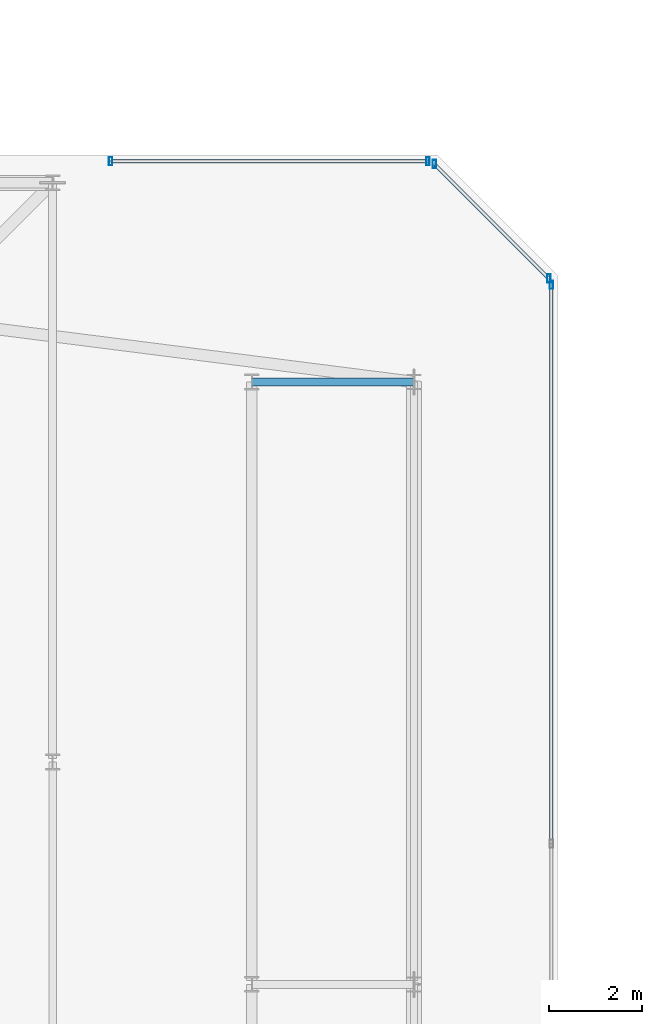
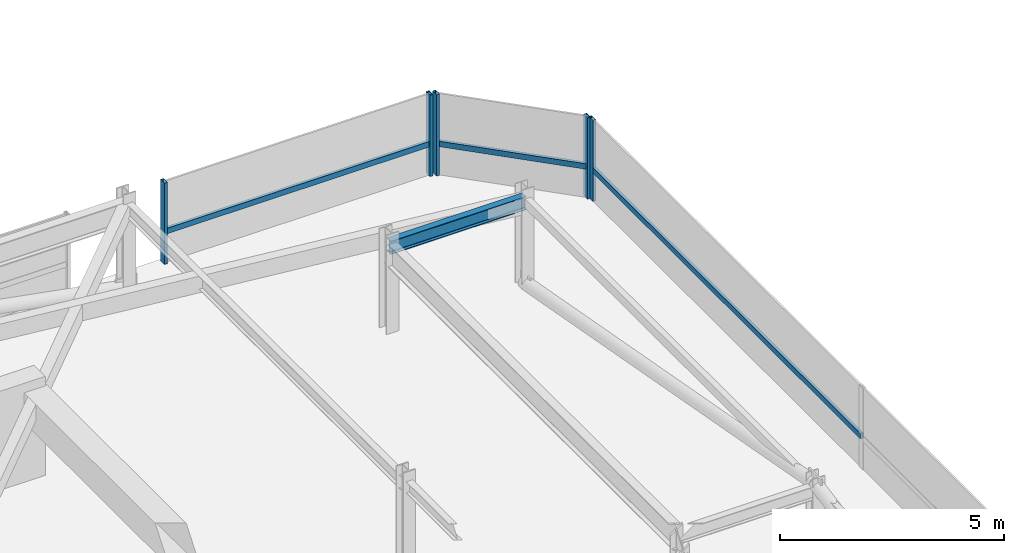
# One storey, part 25 of 42: 8 members, 1 beam, 3 elements without a shape of their own.
"""IFC4 building model written with IfcOpenShell, lengths in metres."""

from ifc_helpers import new_model, si_unit, direction, frame, origin, origin_2d, place, context, subcontext, project, spatial, hollow_rectangle, i_section, extrude, material, material_profile, profile_set, type_object, element, aggregate, save


model = new_model("IFC4")

# Units and contexts
model_context = context("Model", 3, precision=1e-05, world=origin(), true_north=direction((0.0, 1.0)))
body_context = subcontext(model_context, "Body", "Model", "MODEL_VIEW")
ifc_project = project(units=[si_unit("LENGTHUNIT", "METRE"), si_unit("AREAUNIT", "SQUARE_METRE"), si_unit("VOLUMEUNIT", "CUBIC_METRE"), si_unit("PLANEANGLEUNIT", "RADIAN"), si_unit("MASSUNIT", "GRAM", prefix="KILO")], contexts=[model_context])

# Site, building, storey
site_placement = place(None, origin())
site = spatial("IfcSite", under=ifc_project, at=site_placement, CompositionType="ELEMENT")
building_placement = place(site_placement, origin())
building = spatial("IfcBuilding", under=site, at=building_placement, Name="Thornwick Lancets Civic Towers", CompositionType="ELEMENT")
storey_placement = place(building_placement, frame((0.0, 0.0, 284.10009765625)))
storey = spatial("IfcBuildingStorey", under=building, at=storey_placement, Name="C02", CompositionType="ELEMENT", Elevation=284.10009765625)

# Beam
ifc_material_1 = material(Name="Steel S355JR", Category="steel")
ifc_material_profile_1 = material_profile(ifc_material_1, i_section(OverallWidth=0.173095703125, OverallDepth=0.36328125, WebThickness=0.009033203125, FlangeThickness=0.015625, FilletRadius=0.01025390625, at=origin_2d()), Name="UKB 356x171x67")
ifc_profile_set_1 = profile_set([ifc_material_profile_1], Name="Steel S355JR")
beam_type = type_object("IfcBeamType", Name="BM_JOIST_356_67", PredefinedType="JOIST", material=ifc_profile_set_1)
beam_placement = place(storey_placement, frame((42.800048828125, 40.0, 2.25830078125), z_axis=(1.0, 0.0, 0.0), x_axis=(0.0, 1.0, 0.0)))
element("IfcBeam", 1, at=beam_placement, inside=storey, type_object=beam_type, Name="BM-RAD-C02-A06", PredefinedType="JOIST", context=body_context, shape_type="SweptSolid", body=[
    extrude(i_section(OverallWidth=0.173095703125, OverallDepth=0.36328125, WebThickness=0.009033203125, FlangeThickness=0.015625, FilletRadius=0.01025390625, at=origin_2d()), origin(), (0.0, 0.0, 1.0), 3.5),
])

# Curtain wall, member
ifc_material_2 = material(Name="Crown ring acoustic-louvre and glazing screen wall", Category="glass")
curtain_wall_type = type_object("IfcCurtainWallType", Name="CW_SYS_07", PredefinedType="NOTDEFINED", material=ifc_material_2)
curtain_wall_1_placement = place(storey_placement, origin())
curtain_wall_1 = element("IfcCurtainWall", 2, at=curtain_wall_1_placement, inside=storey, type_object=curtain_wall_type, Name="C02 Curtain Wall CW-C02-A-E2", PredefinedType="NOTDEFINED")
ifc_material_3 = material(Name="Thermally broken bronze aluminium S355", Category="steel")
ifc_material_profile_2 = material_profile(ifc_material_3, hollow_rectangle(XDim=0.074951171875, YDim=0.179931640625, WallThickness=0.006103515625, at=origin_2d()), Name="RHS 180x75x6")
ifc_profile_set_2 = profile_set([ifc_material_profile_2], Name="Thermally broken bronze aluminium S355")
member_type_1 = type_object("IfcMemberType", Name="CW_MUL_180", PredefinedType="MULLION", material=ifc_profile_set_2)
member_1_placement = place(storey_placement, frame((49.2646484375, 42.101318359375, 0.0), z_axis=(0.0, 0.0, 1.0), x_axis=(1.0, 0.0, 0.0)))
member_1 = element("IfcMember", 3, at=member_1_placement, type_object=member_type_1, Name="CW-C02-A-E2 Mullion 3", PredefinedType="MULLION", context=body_context, shape_type="SweptSolid", body=[
    extrude(hollow_rectangle(XDim=0.074951171875, YDim=0.179931640625, WallThickness=0.006103515625, at=origin_2d()), origin(), (0.0, 0.0, 1.0), 2.219970703125),
])

# Curtain wall, members
curtain_wall_2_placement = place(storey_placement, origin())
curtain_wall_2 = element("IfcCurtainWall", 4, at=curtain_wall_2_placement, inside=storey, type_object=curtain_wall_type, Name="C02 Curtain Wall CW-C02-A-E3", PredefinedType="NOTDEFINED")
member_2_placement = place(storey_placement, frame((49.2080078125, 42.238037109375, 0.0), z_axis=(0.0, 0.0, 1.0), x_axis=(1.0, 0.0, 0.0)))
member_2 = element("IfcMember", 5, at=member_2_placement, type_object=member_type_1, Name="CW-C02-A-E3 Mullion 0", PredefinedType="MULLION", context=body_context, shape_type="SweptSolid", body=[
    extrude(hollow_rectangle(XDim=0.074951171875, YDim=0.179931640625, WallThickness=0.006103515625, at=origin_2d()), origin(), (0.0, 0.0, 1.0), 2.219970703125),
])
member_3_placement = place(storey_placement, frame((46.738037109375, 44.7080078125, 0.0), z_axis=(0.0, 0.0, 1.0), x_axis=(1.0, 0.0, 0.0)))
member_3 = element("IfcMember", 6, at=member_3_placement, type_object=member_type_1, Name="CW-C02-A-E3 Mullion 1", PredefinedType="MULLION", context=body_context, shape_type="SweptSolid", body=[
    extrude(hollow_rectangle(XDim=0.074951171875, YDim=0.179931640625, WallThickness=0.006103515625, at=origin_2d()), origin(), (0.0, 0.0, 1.0), 2.219970703125),
])

curtain_wall_3_placement = place(storey_placement, origin())
curtain_wall_3 = element("IfcCurtainWall", 7, at=curtain_wall_3_placement, inside=storey, type_object=curtain_wall_type, Name="C02 Curtain Wall CW-C02-A-E4-S1", PredefinedType="NOTDEFINED")
member_4_placement = place(storey_placement, frame((46.601318359375, 44.7646484375, 0.0), z_axis=(0.0, 0.0, 1.0), x_axis=(1.0, 0.0, 0.0)))
member_4 = element("IfcMember", 8, at=member_4_placement, type_object=member_type_1, Name="CW-C02-A-E4-S1 Mullion 0", PredefinedType="MULLION", context=body_context, shape_type="SweptSolid", body=[
    extrude(hollow_rectangle(XDim=0.074951171875, YDim=0.179931640625, WallThickness=0.006103515625, at=origin_2d()), origin(), (0.0, 0.0, 1.0), 2.219970703125),
])
member_5_placement = place(storey_placement, frame((39.75, 44.7646484375, 0.0), z_axis=(0.0, 0.0, 1.0), x_axis=(1.0, 0.0, 0.0)))
member_5 = element("IfcMember", 9, at=member_5_placement, type_object=member_type_1, Name="CW-C02-A-E4-S1 Mullion 1", PredefinedType="MULLION", context=body_context, shape_type="SweptSolid", body=[
    extrude(hollow_rectangle(XDim=0.074951171875, YDim=0.179931640625, WallThickness=0.006103515625, at=origin_2d()), origin(), (0.0, 0.0, 1.0), 2.219970703125),
])

# Member
ifc_material_profile_3 = material_profile(ifc_material_3, hollow_rectangle(XDim=0.074951171875, YDim=0.14990234375, WallThickness=0.0048828125, at=origin_2d()), Name="RHS 150x75x5")
ifc_profile_set_3 = profile_set([ifc_material_profile_3], Name="Thermally broken bronze aluminium S355")
member_type_2 = type_object("IfcMemberType", Name="CW_TRN_150", PredefinedType="USERDEFINED", material=ifc_profile_set_3)
member_6_placement = place(storey_placement, frame((49.2646484375, 30.0537109375, 0.849853515625), z_axis=(0.0, 1.0, 0.0), x_axis=(-1.0, 0.0, 0.0)))
member_6 = element("IfcMember", 10, at=member_6_placement, type_object=member_type_2, Name="CW-C02-A-E2 Transom 2", ObjectType="TRANSOM", PredefinedType="USERDEFINED", context=body_context, shape_type="SweptSolid", body=[
    extrude(hollow_rectangle(XDim=0.074951171875, YDim=0.14990234375, WallThickness=0.0048828125, at=origin_2d()), origin(), (0.0, 0.0, 1.0), 12.027587890625),
])

aggregate(curtain_wall_1, [member_1, member_6])

member_7_placement = place(storey_placement, frame((49.19384765625, 42.252197265625, 0.849853515625), z_axis=(-0.707106781187, 0.707106781187, 0.0), x_axis=(-0.707106781187, -0.707106781187, 0.0)))
member_7 = element("IfcMember", 11, at=member_7_placement, type_object=member_type_2, Name="CW-C02-A-E3 Transom 0", ObjectType="TRANSOM", PredefinedType="USERDEFINED", context=body_context, shape_type="SweptSolid", body=[
    extrude(hollow_rectangle(XDim=0.074951171875, YDim=0.14990234375, WallThickness=0.0048828125, at=origin_2d()), origin(), (0.0, 0.0, 1.0), 3.453125),
])

aggregate(curtain_wall_2, [member_2, member_3, member_7])

member_8_placement = place(storey_placement, frame((46.581298828125, 44.7646484375, 0.849853515625), z_axis=(-1.0, 0.0, 0.0), x_axis=(0.0, -1.0, 0.0)))
member_8 = element("IfcMember", 12, at=member_8_placement, type_object=member_type_2, Name="CW-C02-A-E4-S1 Transom 0", ObjectType="TRANSOM", PredefinedType="USERDEFINED", context=body_context, shape_type="SweptSolid", body=[
    extrude(hollow_rectangle(XDim=0.074951171875, YDim=0.14990234375, WallThickness=0.0048828125, at=origin_2d()), origin(), (0.0, 0.0, 1.0), 6.811279296875),
])

aggregate(curtain_wall_3, [member_4, member_5, member_8])

save(model, "model.ifc")
